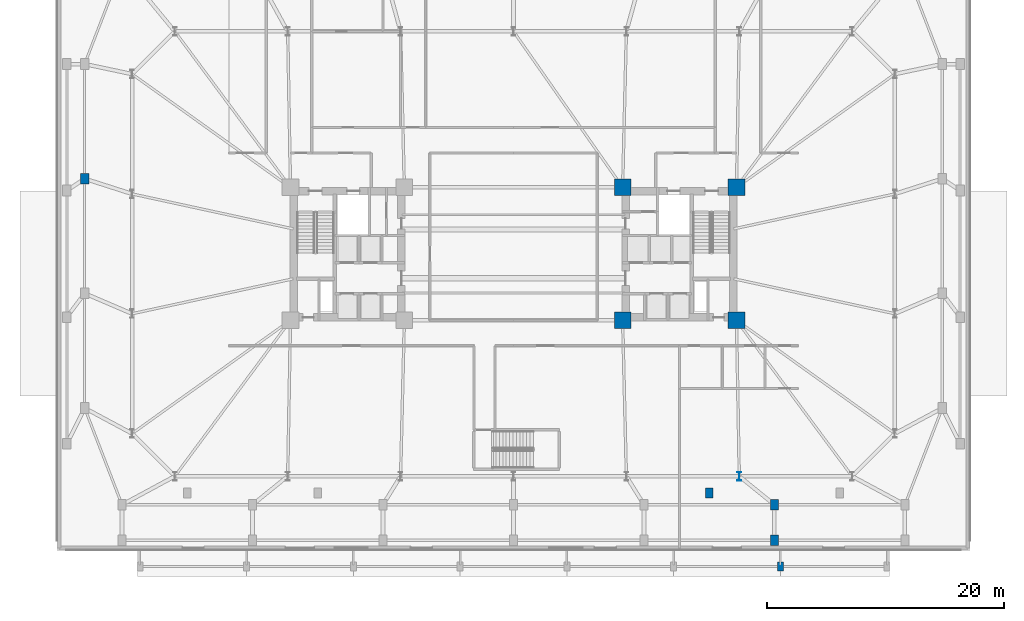
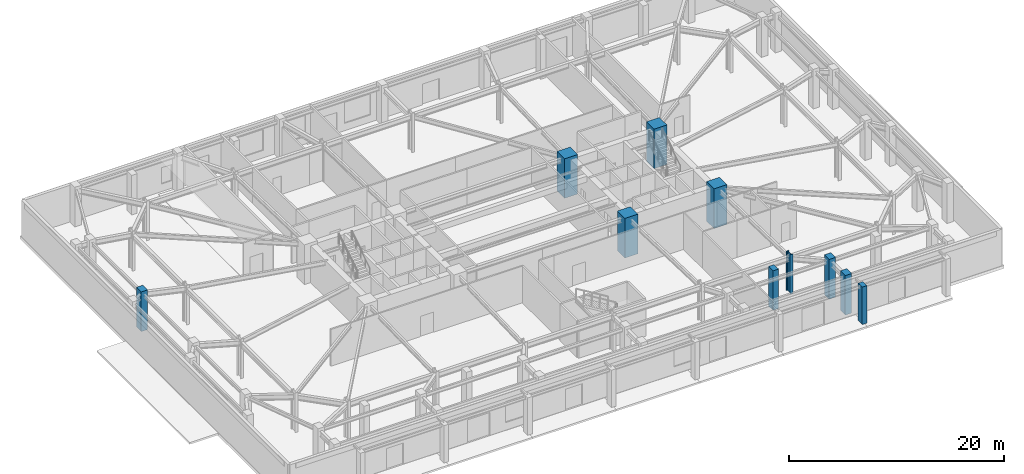
# One storey, part 2 of 18: 10 columns.
"""IFC4 building model written with IfcOpenShell, lengths in metres."""

import ifcopenshell
import ifcopenshell.guid

model = None  # the IFC model being written
_history = None  # IfcOwnerHistory: only IFC2X3 demands one
_inside = {}  # id of a spatial element -> (the spatial element, [elements in it])
_under = {}  # id of a project, library or spatial element -> (it, [spatial elements below it])
_declared = {}  # id of a project -> (the project, [libraries it declares])
_typed = {}  # id of a type object -> (the type object, [elements of that type])
_made_of = {}  # id of a material, layer set ... -> (it, [elements and type objects made of it])


def new_model(schema):
    """Start an empty IFC model of exactly this schema.

    Asked for "IFC4X3", IfcOpenShell would pick the latest addendum, in which some entities
    have other attributes; the version numbers below select the first issue.
    IFC2X3 requires an IfcOwnerHistory on every rooted entity: one is made here for all.
    """
    global model, _history
    if schema == "IFC4X3":
        model = ifcopenshell.file(schema_version=(4, 3, 0, 0))
    else:
        model = ifcopenshell.file(schema=schema)
    _inside.clear()
    _under.clear()
    _declared.clear()
    _typed.clear()
    _made_of.clear()
    _history = None
    if model.schema == "IFC2X3":
        org = make("IfcOrganization", Name="unknown")
        user = make(
            "IfcPersonAndOrganization",
            ThePerson=make("IfcPerson", FamilyName="unknown"),
            TheOrganization=org,
        )
        app = make(
            "IfcApplication",
            ApplicationDeveloper=org,
            Version="unknown",
            ApplicationFullName="unknown",
            ApplicationIdentifier="unknown",
        )
        _history = make(
            "IfcOwnerHistory",
            OwningUser=user,
            OwningApplication=app,
            ChangeAction="ADDED",
            CreationDate=0,
        )
    return model


def make(cls, **values):
    """One entity of the class cls with the attributes given. An attribute that is None is left unset."""
    return model.create_entity(
        cls, **{name: value for name, value in values.items() if value is not None}
    )


def rooted(cls, **values):
    """An entity with a GlobalId (a new one), such as an element, a storey or a relation."""
    return make(cls, GlobalId=ifcopenshell.guid.new(), OwnerHistory=_history, **values)


def si_unit(unit_type, name, prefix=None):
    """IfcSIUnit, for example si_unit("LENGTHUNIT", "METRE", prefix="MILLI")."""
    return make("IfcSIUnit", UnitType=unit_type, Prefix=prefix, Name=name)


def assignment(units):
    """IfcUnitAssignment: the units of a project."""
    return None if units is None else make("IfcUnitAssignment", Units=units)


def point(xyz):
    """IfcCartesianPoint."""
    return None if xyz is None else make("IfcCartesianPoint", Coordinates=xyz)


def direction(xyz):
    """IfcDirection."""
    return None if xyz is None else make("IfcDirection", DirectionRatios=xyz)


def frame(location, z_axis=None, x_axis=None):
    """IfcAxis2Placement3D, a coordinate frame: its origin and axes. An axis left out is left unset."""
    return make(
        "IfcAxis2Placement3D",
        Location=point(location),
        Axis=direction(z_axis),
        RefDirection=direction(x_axis),
    )


def frame_2d(location, x_axis=None):
    """IfcAxis2Placement2D, a coordinate frame in the plane: its origin and x axis."""
    return make(
        "IfcAxis2Placement2D", Location=point(location), RefDirection=direction(x_axis)
    )


def origin():
    """The frame at (0, 0, 0) with its axes left unset."""
    return frame((0.0, 0.0, 0.0))


def origin_2d():
    """The frame at (0, 0) in the plane with its x axis left unset."""
    return frame_2d((0.0, 0.0))


def place(relative_to, where):
    """IfcLocalPlacement: puts the frame where relative to a parent placement (None: the world)."""
    return make(
        "IfcLocalPlacement", PlacementRelTo=relative_to, RelativePlacement=where
    )


def context(
    kind, dimensions, precision=None, world=None, true_north=None, identifier=None
):
    """IfcGeometricRepresentationContext, for example the 3D "Model" context."""
    return make(
        "IfcGeometricRepresentationContext",
        ContextIdentifier=identifier,
        ContextType=kind,
        CoordinateSpaceDimension=dimensions,
        Precision=precision,
        WorldCoordinateSystem=world,
        TrueNorth=true_north,
    )


def subcontext(parent, identifier, kind, view, scale=None):
    """IfcGeometricRepresentationSubContext, for example "Body" below "Model"."""
    return make(
        "IfcGeometricRepresentationSubContext",
        ContextIdentifier=identifier,
        ContextType=kind,
        ParentContext=parent,
        TargetScale=scale,
        TargetView=view,
    )


def project(units=None, contexts=None):
    """IfcProject with its units and contexts."""
    return rooted(
        "IfcProject",
        Name="project",
        RepresentationContexts=contexts,
        UnitsInContext=assignment(units),
    )


def spatial(cls, under=None, at=None, **own):
    """A site, building, storey or space (cls), placed at a placement, below another one or the project."""
    s = rooted(cls, ObjectPlacement=at, **own)
    if under is not None:
        _under.setdefault(under.id(), (under, []))[1].append(s)
    return s


def profile(cls, at=None, kind="AREA", **sizes):
    """A parametric profile (cls). Its sizes go by their IFC names, for example OverallWidth=200.0."""
    return make(cls, ProfileType=kind, Position=at, **sizes)


def rectangle(**sizes):
    """IfcRectangleProfileDef."""
    return profile("IfcRectangleProfileDef", **sizes)


def i_section(**sizes):
    """IfcIShapeProfileDef."""
    return profile("IfcIShapeProfileDef", **sizes)


def extrude(swept, where, along, depth):
    """IfcExtrudedAreaSolid: the profile swept, set in the frame where, extruded along a direction by depth."""
    return make(
        "IfcExtrudedAreaSolid",
        SweptArea=swept,
        Position=where,
        ExtrudedDirection=direction(along),
        Depth=depth,
    )


def shape(context_of_items, identifier, shape_type, items):
    """IfcShapeRepresentation: the items that make up one representation, for example the "Body"."""
    return make(
        "IfcShapeRepresentation",
        ContextOfItems=context_of_items,
        RepresentationIdentifier=identifier,
        RepresentationType=shape_type,
        Items=items,
    )


def material(Name=None, Category=None):
    """IfcMaterial."""
    return make("IfcMaterial", Name=Name, Category=Category)


def material_profile(
    of_material, cross_section, Name=None, Category=None, Priority=None
):
    """IfcMaterialProfile: a cross section and its material."""
    return make(
        "IfcMaterialProfile",
        Name=Name,
        Material=of_material,
        Profile=cross_section,
        Priority=Priority,
        Category=Category,
    )


def profile_set(profiles, Name=None, composite=None):
    """IfcMaterialProfileSet."""
    return make(
        "IfcMaterialProfileSet",
        Name=Name,
        MaterialProfiles=profiles,
        CompositeProfile=composite,
    )


def made_of(thing, what):
    """Note that an element or type object is made of a material, layer set ...; save() writes the relation."""
    if what is not None:
        _made_of.setdefault(what.id(), (what, []))[1].append(thing)
    return thing


def type_object(cls, material=None, **own):
    """A type object (cls), such as IfcWallType, which elements share."""
    return made_of(rooted(cls, **own), material)


def element(
    cls,
    number,
    at=None,
    inside=None,
    cuts=None,
    type_object=None,
    material=None,
    context=None,
    identifier="Body",
    shape_type=None,
    held_by="IfcProductDefinitionShape",
    body=None,
    shapes=None,
    **own,
):
    """One element of the class cls, such as IfcWall. Its Tag is "e" and its number.

    at: its placement. inside: the storey or other place that contains it. cuts: it is an
    opening in that element (IfcRelVoidsElement). A single representation is given by context,
    identifier, shape_type and body (its items); several are given by shapes. held_by: the class
    of the entity that holds the representations. save() writes the other relations.
    """
    e = rooted(cls, Tag="e%d" % number, ObjectPlacement=at, **own)
    if body is not None:
        shapes = [shape(context, identifier, shape_type, body)]
    if shapes is not None:
        e.Representation = make(held_by, Representations=shapes)
    if inside is not None:
        _inside.setdefault(inside.id(), (inside, []))[1].append(e)
    if cuts is not None:
        rooted(
            "IfcRelVoidsElement", RelatingBuildingElement=cuts, RelatedOpeningElement=e
        )
    if type_object is not None:
        _typed.setdefault(type_object.id(), (type_object, []))[1].append(e)
    return made_of(e, material)


def aggregate(whole, parts):
    """IfcRelAggregates: a whole, such as a stair, and the parts it consists of."""
    return rooted("IfcRelAggregates", RelatingObject=whole, RelatedObjects=parts)


def save(model, path):
    """Write the relations noted so far, then the file.

    IfcRelAggregates (storeys below a building ...), IfcRelContainedInSpatialStructure (elements
    in a storey), IfcRelDefinesByType, IfcRelAssociatesMaterial and IfcRelDeclares: one each for
    every whole, place, type object, material and project.
    """
    for whole, parts in _under.values():
        aggregate(whole, parts)
    for where, things in _inside.values():
        rooted(
            "IfcRelContainedInSpatialStructure",
            RelatedElements=things,
            RelatingStructure=where,
        )
    for kind, things in _typed.values():
        rooted("IfcRelDefinesByType", RelatedObjects=things, RelatingType=kind)
    for what, things in _made_of.values():
        rooted("IfcRelAssociatesMaterial", RelatedObjects=things, RelatingMaterial=what)
    for by, libraries in _declared.values():
        rooted("IfcRelDeclares", RelatingContext=by, RelatedDefinitions=libraries)
    model.write(path)


model = new_model("IFC4")

# Units and contexts
model_context = context("Model", 3, precision=1e-05, world=origin(), true_north=direction((0.0, 1.0)))
body_context = subcontext(model_context, "Body", "Model", "MODEL_VIEW")
ifc_project = project(units=[si_unit("LENGTHUNIT", "METRE"), si_unit("AREAUNIT", "SQUARE_METRE"), si_unit("VOLUMEUNIT", "CUBIC_METRE"), si_unit("PLANEANGLEUNIT", "RADIAN"), si_unit("MASSUNIT", "GRAM", prefix="KILO")], contexts=[model_context])

# Site, building, storey
site_placement = place(None, origin())
site = spatial("IfcSite", under=ifc_project, at=site_placement, CompositionType="ELEMENT")
building_placement = place(site_placement, origin())
building = spatial("IfcBuilding", under=site, at=building_placement, Name="Qobustan Lattice House", CompositionType="ELEMENT")
storey_placement = place(building_placement, origin())
storey = spatial("IfcBuildingStorey", under=building, at=storey_placement, Name="L00", CompositionType="ELEMENT", Elevation=0.0)

# Columns
ifc_material_1 = material(Name="Concrete C50/60", Category="concrete")
ifc_material_profile_1 = material_profile(ifc_material_1, rectangle(XDim=0.5, YDim=0.75, at=origin_2d()), Name="RC500x750")
ifc_profile_set_1 = profile_set([ifc_material_profile_1], Name="Concrete C50/60")
column_type_1 = type_object("IfcColumnType", Name="COL-PIER-500x750", PredefinedType="USERDEFINED", material=ifc_profile_set_1)
column_1_placement = place(storey_placement, frame((22.5, -26.35009765625, 0.0), z_axis=(0.0, 0.0, 1.0), x_axis=(1.0, 0.0, 0.0)))
element("IfcColumn", 1, at=column_1_placement, inside=storey, type_object=column_type_1, Name="L00 entrance canopy pier PR-07", ObjectType="PIER", PredefinedType="USERDEFINED", context=body_context, shape_type="SweptSolid", body=[
    extrude(rectangle(XDim=0.5, YDim=0.75, at=origin_2d()), origin(), (0.0, 0.0, 1.0), 4.260009765625),
])
ifc_material_2 = material(Name="Concrete C50/60", Category="concrete")
ifc_material_profile_2 = material_profile(ifc_material_2, rectangle(XDim=0.60009765625, YDim=0.85009765625, at=origin_2d()), Name="RC600x850")
ifc_profile_set_2 = profile_set([ifc_material_profile_2], Name="Concrete C50/60")
column_type_2 = type_object("IfcColumnType", Name="COL-PIL-600x850", PredefinedType="PILASTER", material=ifc_profile_set_2)
column_2_placement = place(storey_placement, frame((16.5, -20.14990234375, 0.0), z_axis=(0.0, 0.0, 1.0), x_axis=(1.0, 0.0, 0.0)))
element("IfcColumn", 2, at=column_2_placement, inside=storey, type_object=column_type_2, Name="L00 colonnade pilaster S3", PredefinedType="PILASTER", context=body_context, shape_type="SweptSolid", body=[
    extrude(rectangle(XDim=0.60009765625, YDim=0.85009765625, at=origin_2d()), origin(), (0.0, 0.0, 1.0), 4.5),
])
ifc_material_3 = material(Name="Concrete C60/75", Category="concrete")
ifc_material_profile_3 = material_profile(ifc_material_3, rectangle(XDim=1.39990234375, YDim=1.39990234375, at=origin_2d()), Name="RC1400x1400")
ifc_profile_set_3 = profile_set([ifc_material_profile_3], Name="Concrete C60/75")
column_type_3 = type_object("IfcColumnType", Name="COL-RC-1400", PredefinedType="COLUMN", material=ifc_profile_set_3)
for number, where, z_axis, x_axis, name in (
    (3, (9.199951171875, -5.60009765625, 0.0), (0.0, 0.0, 1.0), (1.0, 0.0, 0.0), "L00 core mega-column CE-SW"),
    (4, (9.199951171875, 5.60009765625, 0.0), (0.0, 0.0, 1.0), (1.0, 0.0, 0.0), "L00 core mega-column CE-NW"),
    (5, (18.800048828125, -5.60009765625, 0.0), (0.0, 0.0, 1.0), (1.0, 0.0, 0.0), "L00 core mega-column CE-SE"),
    (6, (18.800048828125, 5.60009765625, 0.0), (0.0, 0.0, 1.0), (1.0, 0.0, 0.0), "L00 core mega-column CE-NE"),
):
    element("IfcColumn", number, at=place(storey_placement, frame(where, z_axis=z_axis, x_axis=x_axis)), inside=storey, type_object=column_type_3, Name=name, PredefinedType="COLUMN", context=body_context, shape_type="SweptSolid", body=[
        extrude(rectangle(XDim=1.39990234375, YDim=1.39990234375, at=origin_2d()), origin(), (0.0, 0.0, 1.0), 4.5),
    ])
ifc_material_4 = material(Name="Concrete C50/60", Category="concrete")
ifc_material_profile_4 = material_profile(ifc_material_4, rectangle(XDim=0.699951171875, YDim=0.89990234375, at=origin_2d()), Name="RC700x900")
ifc_profile_set_4 = profile_set([ifc_material_profile_4], Name="Concrete C50/60")
column_type_4 = type_object("IfcColumnType", Name="COL-RC-700x900", PredefinedType="COLUMN", material=ifc_profile_set_4)
for number, where, z_axis, x_axis, name in (
    (7, (22.0, -21.14990234375, 0.0), (0.0, 0.0, 1.0), (1.0, 0.0, 0.0), "L00 podium column PS6"),
    (8, (-36.14990234375, 6.33349609375, 0.0), (0.0, 0.0, 1.0), (1.0, 0.0, 0.0), "L00 podium column PW3"),
    (9, (22.0, -24.14990234375, 0.0), (0.0, 0.0, 1.0), (1.0, 0.0, 0.0), "L00 lower podium perimeter column PSL6"),
):
    element("IfcColumn", number, at=place(storey_placement, frame(where, z_axis=z_axis, x_axis=x_axis)), inside=storey, type_object=column_type_4, Name=name, PredefinedType="COLUMN", context=body_context, shape_type="SweptSolid", body=[
        extrude(rectangle(XDim=0.699951171875, YDim=0.89990234375, at=origin_2d()), origin(), (0.0, 0.0, 1.0), 4.5),
    ])
ifc_material_5 = material(Name="Steel S460", Category="steel")
ifc_material_profile_5 = material_profile(ifc_material_5, i_section(OverallWidth=0.303955078125, OverallDepth=0.716064453125, WebThickness=0.02099609375, FlangeThickness=0.0400390625, FilletRadius=0.027099609375, at=origin_2d()), Name="HEM700")
ifc_profile_set_5 = profile_set([ifc_material_profile_5], Name="Steel S460")
column_type_5 = type_object("IfcColumnType", Name="COL-ST-HEM700", PredefinedType="COLUMN", material=ifc_profile_set_5)
column_3_placement = place(storey_placement, frame((19.033203125, -18.75, 0.0), z_axis=(0.0, 0.0, 1.0), x_axis=(1.0, 0.0, 0.0)))
element("IfcColumn", 10, at=column_3_placement, inside=storey, type_object=column_type_5, Name="L00 tower base column S6", PredefinedType="COLUMN", context=body_context, shape_type="SweptSolid", body=[
    extrude(i_section(OverallWidth=0.303955078125, OverallDepth=0.716064453125, WebThickness=0.02099609375, FlangeThickness=0.0400390625, FilletRadius=0.027099609375, at=origin_2d()), origin(), (0.0, 0.0, 1.0), 4.5),
])

save(model, "model.ifc")
